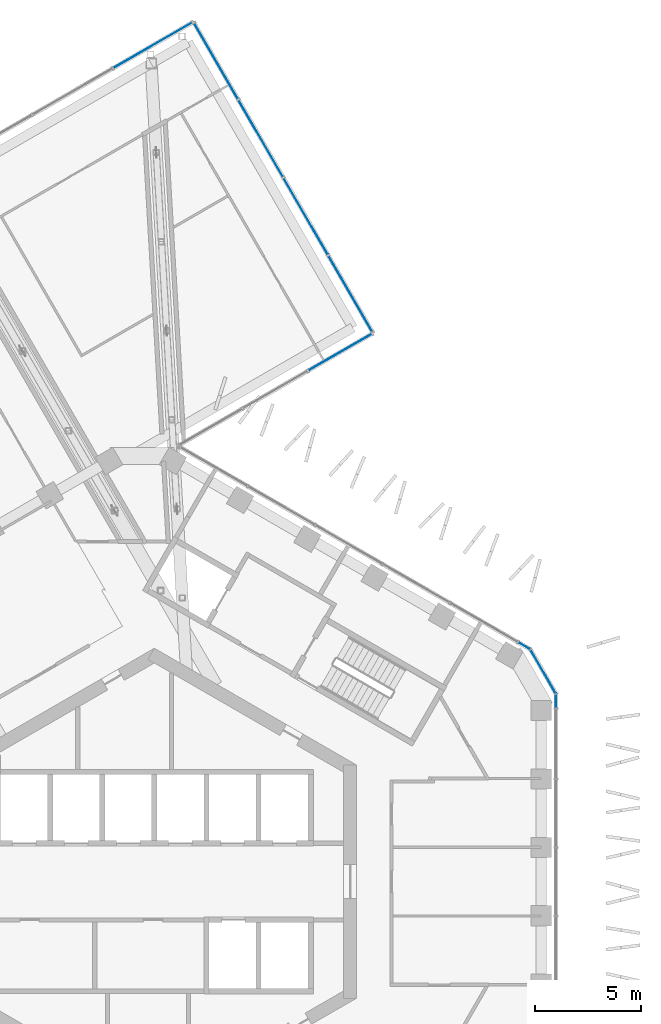
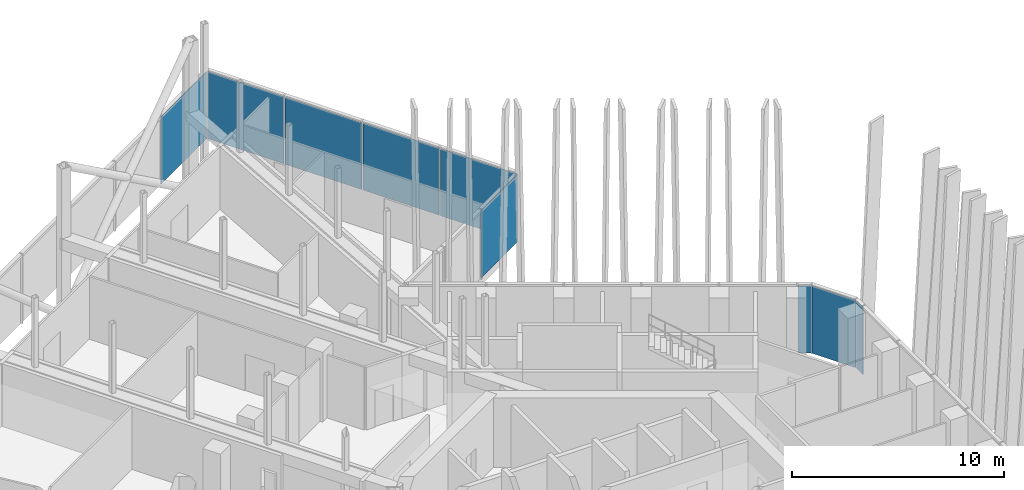
# One storey, part 17 of 29: 9 plates, 4 elements without a shape of their own.
"""IFC4 building model written with IfcOpenShell, lengths in metres."""

import ifcopenshell
import ifcopenshell.guid

model = None  # the IFC model being written
_history = None  # IfcOwnerHistory: only IFC2X3 demands one
_inside = {}  # id of a spatial element -> (the spatial element, [elements in it])
_under = {}  # id of a project, library or spatial element -> (it, [spatial elements below it])
_declared = {}  # id of a project -> (the project, [libraries it declares])
_typed = {}  # id of a type object -> (the type object, [elements of that type])
_made_of = {}  # id of a material, layer set ... -> (it, [elements and type objects made of it])


def new_model(schema):
    """Start an empty IFC model of exactly this schema.

    Asked for "IFC4X3", IfcOpenShell would pick the latest addendum, in which some entities
    have other attributes; the version numbers below select the first issue.
    IFC2X3 requires an IfcOwnerHistory on every rooted entity: one is made here for all.
    """
    global model, _history
    if schema == "IFC4X3":
        model = ifcopenshell.file(schema_version=(4, 3, 0, 0))
    else:
        model = ifcopenshell.file(schema=schema)
    _inside.clear()
    _under.clear()
    _declared.clear()
    _typed.clear()
    _made_of.clear()
    _history = None
    if model.schema == "IFC2X3":
        org = make("IfcOrganization", Name="unknown")
        user = make(
            "IfcPersonAndOrganization",
            ThePerson=make("IfcPerson", FamilyName="unknown"),
            TheOrganization=org,
        )
        app = make(
            "IfcApplication",
            ApplicationDeveloper=org,
            Version="unknown",
            ApplicationFullName="unknown",
            ApplicationIdentifier="unknown",
        )
        _history = make(
            "IfcOwnerHistory",
            OwningUser=user,
            OwningApplication=app,
            ChangeAction="ADDED",
            CreationDate=0,
        )
    return model


def make(cls, **values):
    """One entity of the class cls with the attributes given. An attribute that is None is left unset."""
    return model.create_entity(
        cls, **{name: value for name, value in values.items() if value is not None}
    )


def rooted(cls, **values):
    """An entity with a GlobalId (a new one), such as an element, a storey or a relation."""
    return make(cls, GlobalId=ifcopenshell.guid.new(), OwnerHistory=_history, **values)


def si_unit(unit_type, name, prefix=None):
    """IfcSIUnit, for example si_unit("LENGTHUNIT", "METRE", prefix="MILLI")."""
    return make("IfcSIUnit", UnitType=unit_type, Prefix=prefix, Name=name)


def assignment(units):
    """IfcUnitAssignment: the units of a project."""
    return None if units is None else make("IfcUnitAssignment", Units=units)


def point(xyz):
    """IfcCartesianPoint."""
    return None if xyz is None else make("IfcCartesianPoint", Coordinates=xyz)


def direction(xyz):
    """IfcDirection."""
    return None if xyz is None else make("IfcDirection", DirectionRatios=xyz)


def frame(location, z_axis=None, x_axis=None):
    """IfcAxis2Placement3D, a coordinate frame: its origin and axes. An axis left out is left unset."""
    return make(
        "IfcAxis2Placement3D",
        Location=point(location),
        Axis=direction(z_axis),
        RefDirection=direction(x_axis),
    )


def frame_2d(location, x_axis=None):
    """IfcAxis2Placement2D, a coordinate frame in the plane: its origin and x axis."""
    return make(
        "IfcAxis2Placement2D", Location=point(location), RefDirection=direction(x_axis)
    )


def origin():
    """The frame at (0, 0, 0) with its axes left unset."""
    return frame((0.0, 0.0, 0.0))


def origin_2d():
    """The frame at (0, 0) in the plane with its x axis left unset."""
    return frame_2d((0.0, 0.0))


def place(relative_to, where):
    """IfcLocalPlacement: puts the frame where relative to a parent placement (None: the world)."""
    return make(
        "IfcLocalPlacement", PlacementRelTo=relative_to, RelativePlacement=where
    )


def context(
    kind, dimensions, precision=None, world=None, true_north=None, identifier=None
):
    """IfcGeometricRepresentationContext, for example the 3D "Model" context."""
    return make(
        "IfcGeometricRepresentationContext",
        ContextIdentifier=identifier,
        ContextType=kind,
        CoordinateSpaceDimension=dimensions,
        Precision=precision,
        WorldCoordinateSystem=world,
        TrueNorth=true_north,
    )


def subcontext(parent, identifier, kind, view, scale=None):
    """IfcGeometricRepresentationSubContext, for example "Body" below "Model"."""
    return make(
        "IfcGeometricRepresentationSubContext",
        ContextIdentifier=identifier,
        ContextType=kind,
        ParentContext=parent,
        TargetScale=scale,
        TargetView=view,
    )


def project(units=None, contexts=None):
    """IfcProject with its units and contexts."""
    return rooted(
        "IfcProject",
        Name="project",
        RepresentationContexts=contexts,
        UnitsInContext=assignment(units),
    )


def spatial(cls, under=None, at=None, **own):
    """A site, building, storey or space (cls), placed at a placement, below another one or the project."""
    s = rooted(cls, ObjectPlacement=at, **own)
    if under is not None:
        _under.setdefault(under.id(), (under, []))[1].append(s)
    return s


def profile(cls, at=None, kind="AREA", **sizes):
    """A parametric profile (cls). Its sizes go by their IFC names, for example OverallWidth=200.0."""
    return make(cls, ProfileType=kind, Position=at, **sizes)


def rectangle(**sizes):
    """IfcRectangleProfileDef."""
    return profile("IfcRectangleProfileDef", **sizes)


def extrude(swept, where, along, depth):
    """IfcExtrudedAreaSolid: the profile swept, set in the frame where, extruded along a direction by depth."""
    return make(
        "IfcExtrudedAreaSolid",
        SweptArea=swept,
        Position=where,
        ExtrudedDirection=direction(along),
        Depth=depth,
    )


def shape(context_of_items, identifier, shape_type, items):
    """IfcShapeRepresentation: the items that make up one representation, for example the "Body"."""
    return make(
        "IfcShapeRepresentation",
        ContextOfItems=context_of_items,
        RepresentationIdentifier=identifier,
        RepresentationType=shape_type,
        Items=items,
    )


def material(Name=None, Category=None):
    """IfcMaterial."""
    return make("IfcMaterial", Name=Name, Category=Category)


def layer(
    of_material, thickness, ventilated=None, Name=None, Category=None, Priority=None
):
    """IfcMaterialLayer: one layer of a wall or slab, of a material (None: an air gap)."""
    return make(
        "IfcMaterialLayer",
        Material=of_material,
        LayerThickness=thickness,
        IsVentilated=ventilated,
        Name=Name,
        Category=Category,
        Priority=Priority,
    )


def layer_set(layers, Name=None):
    """IfcMaterialLayerSet."""
    return make("IfcMaterialLayerSet", MaterialLayers=layers, LayerSetName=Name)


def made_of(thing, what):
    """Note that an element or type object is made of a material, layer set ...; save() writes the relation."""
    if what is not None:
        _made_of.setdefault(what.id(), (what, []))[1].append(thing)
    return thing


def type_object(cls, material=None, **own):
    """A type object (cls), such as IfcWallType, which elements share."""
    return made_of(rooted(cls, **own), material)


def element(
    cls,
    number,
    at=None,
    inside=None,
    cuts=None,
    type_object=None,
    material=None,
    context=None,
    identifier="Body",
    shape_type=None,
    held_by="IfcProductDefinitionShape",
    body=None,
    shapes=None,
    **own,
):
    """One element of the class cls, such as IfcWall. Its Tag is "e" and its number.

    at: its placement. inside: the storey or other place that contains it. cuts: it is an
    opening in that element (IfcRelVoidsElement). A single representation is given by context,
    identifier, shape_type and body (its items); several are given by shapes. held_by: the class
    of the entity that holds the representations. save() writes the other relations.
    """
    e = rooted(cls, Tag="e%d" % number, ObjectPlacement=at, **own)
    if body is not None:
        shapes = [shape(context, identifier, shape_type, body)]
    if shapes is not None:
        e.Representation = make(held_by, Representations=shapes)
    if inside is not None:
        _inside.setdefault(inside.id(), (inside, []))[1].append(e)
    if cuts is not None:
        rooted(
            "IfcRelVoidsElement", RelatingBuildingElement=cuts, RelatedOpeningElement=e
        )
    if type_object is not None:
        _typed.setdefault(type_object.id(), (type_object, []))[1].append(e)
    return made_of(e, material)


def aggregate(whole, parts):
    """IfcRelAggregates: a whole, such as a stair, and the parts it consists of."""
    return rooted("IfcRelAggregates", RelatingObject=whole, RelatedObjects=parts)


def save(model, path):
    """Write the relations noted so far, then the file.

    IfcRelAggregates (storeys below a building ...), IfcRelContainedInSpatialStructure (elements
    in a storey), IfcRelDefinesByType, IfcRelAssociatesMaterial and IfcRelDeclares: one each for
    every whole, place, type object, material and project.
    """
    for whole, parts in _under.values():
        aggregate(whole, parts)
    for where, things in _inside.values():
        rooted(
            "IfcRelContainedInSpatialStructure",
            RelatedElements=things,
            RelatingStructure=where,
        )
    for kind, things in _typed.values():
        rooted("IfcRelDefinesByType", RelatedObjects=things, RelatingType=kind)
    for what, things in _made_of.values():
        rooted("IfcRelAssociatesMaterial", RelatedObjects=things, RelatingMaterial=what)
    for by, libraries in _declared.values():
        rooted("IfcRelDeclares", RelatingContext=by, RelatedDefinitions=libraries)
    model.write(path)


model = new_model("IFC4")

# Units and contexts
model_context = context("Model", 3, precision=1e-05, world=origin(), true_north=direction((0.0, 1.0)))
body_context = subcontext(model_context, "Body", "Model", "MODEL_VIEW")
ifc_project = project(units=[si_unit("LENGTHUNIT", "METRE"), si_unit("AREAUNIT", "SQUARE_METRE"), si_unit("VOLUMEUNIT", "CUBIC_METRE"), si_unit("PLANEANGLEUNIT", "RADIAN"), si_unit("MASSUNIT", "GRAM", prefix="KILO")], contexts=[model_context])

# Site, building, storey
site_placement = place(None, origin())
site = spatial("IfcSite", under=ifc_project, at=site_placement, CompositionType="ELEMENT")
building_placement = place(site_placement, origin())
building = spatial("IfcBuilding", under=site, at=building_placement, Name="Ayvan Gate Tower", CompositionType="ELEMENT")
storey_placement = place(building_placement, frame((0.0, 0.0, 186.699951171875)))
storey = spatial("IfcBuildingStorey", under=building, at=storey_placement, Name="L50", CompositionType="ELEMENT", Elevation=186.699951171875)

# Curtain wall, plate
ifc_material_1 = material(Name="Bronze anodised aluminium", Category="aluminium")
ifc_layer_1 = layer(ifc_material_1, 0.199951171875)
ifc_layer_set_1 = layer_set([ifc_layer_1], Name="Bronze anodised aluminium")
curtain_wall_type_1 = type_object("IfcCurtainWallType", Name="Stick curtain wall CW-4", PredefinedType="NOTDEFINED", material=ifc_layer_set_1)
curtain_wall_1_placement = place(storey_placement, origin())
curtain_wall_1 = element("IfcCurtainWall", 1, at=curtain_wall_1_placement, inside=storey, type_object=curtain_wall_type_1, Name="Stick curtain wall CW-4 L50", PredefinedType="NOTDEFINED")
ifc_material_2 = material(Name="Clear low-iron laminated glass", Category="glass")
ifc_layer_2 = layer(ifc_material_2, 0.028076171875)
ifc_layer_set_2 = layer_set([ifc_layer_2], Name="Clear low-iron laminated glass")
plate_type_1 = type_object("IfcPlateType", Name="Stick curtain wall CW-4 glass panel", PredefinedType="CURTAIN_PANEL", material=ifc_layer_set_2)
plate_1_placement = place(storey_placement, frame((8.751953125, 24.898193359375, 0.0), z_axis=(0.0, 0.0, 1.0), x_axis=(0.866025403784, 0.5, 0.0)))
plate_1 = element("IfcPlate", 2, at=plate_1_placement, type_object=plate_type_1, Name="CW-4 glass panel 3", PredefinedType="CURTAIN_PANEL", context=body_context, shape_type="SweptSolid", body=[
    extrude(rectangle(XDim=3.463134765625, YDim=0.028076171875, at=origin_2d()), origin(), (0.0, 0.0, 1.0), 3.860107421875),
])
aggregate(curtain_wall_1, [plate_1])

# Curtain wall, plates
curtain_wall_2_placement = place(storey_placement, origin())
curtain_wall_2 = element("IfcCurtainWall", 3, at=curtain_wall_2_placement, inside=storey, type_object=curtain_wall_type_1, Name="Stick curtain wall CW-4 L50", PredefinedType="NOTDEFINED")
plate_2_placement = place(storey_placement, frame((9.229736328125, 27.613525390625, 0.0), z_axis=(0.0, 0.0, 1.0), x_axis=(-0.5, 0.866025403784, 0.0)))
plate_2 = element("IfcPlate", 4, at=plate_2_placement, type_object=plate_type_1, Name="CW-4 glass panel 1", PredefinedType="CURTAIN_PANEL", context=body_context, shape_type="SweptSolid", body=[
    extrude(rectangle(XDim=4.14501953125, YDim=0.028076171875, at=origin_2d()), origin(), (0.0, 0.0, 1.0), 3.860107421875),
])
plate_3_placement = place(storey_placement, frame((5.0048828125, 34.931396484375, 0.0), z_axis=(0.0, 0.0, 1.0), x_axis=(-0.5, 0.866025403784, 0.0)))
plate_3 = element("IfcPlate", 5, at=plate_3_placement, type_object=plate_type_1, Name="CW-4 glass panel 3", PredefinedType="CURTAIN_PANEL", context=body_context, shape_type="SweptSolid", body=[
    extrude(rectangle(XDim=4.14501953125, YDim=0.028076171875, at=origin_2d()), origin(), (0.0, 0.0, 1.0), 3.860107421875),
])
ifc_material_3 = material(Name="Pale anodised aluminium composite panel", Category="aluminium")
ifc_layer_3 = layer(ifc_material_3, 0.028076171875)
ifc_layer_set_3 = layer_set([ifc_layer_3], Name="Pale anodised aluminium composite panel")
plate_type_2 = type_object("IfcPlateType", Name="Stick curtain wall CW-4 solid panel", PredefinedType="CURTAIN_PANEL", material=ifc_layer_set_3)
plate_4_placement = place(storey_placement, frame((7.117431640625, 31.2724609375, 0.0), z_axis=(0.0, 0.0, 1.0), x_axis=(-0.5, 0.866025403784, 0.0)))
plate_4 = element("IfcPlate", 6, at=plate_4_placement, type_object=plate_type_2, Name="CW-4 solid panel 2", PredefinedType="CURTAIN_PANEL", context=body_context, shape_type="SweptSolid", body=[
    extrude(rectangle(XDim=4.14501953125, YDim=0.028076171875, at=origin_2d()), origin(), (0.0, 0.0, 1.0), 3.860107421875),
])
plate_5_placement = place(storey_placement, frame((2.892333984375, 38.59033203125, 0.0), z_axis=(0.0, 0.0, 1.0), x_axis=(-0.5, 0.866025403784, 0.0)))
plate_5 = element("IfcPlate", 7, at=plate_5_placement, type_object=plate_type_2, Name="CW-4 solid panel 4", PredefinedType="CURTAIN_PANEL", context=body_context, shape_type="SweptSolid", body=[
    extrude(rectangle(XDim=4.14501953125, YDim=0.028076171875, at=origin_2d()), origin(), (0.0, 0.0, 1.0), 3.860107421875),
])
aggregate(curtain_wall_2, [plate_2, plate_4, plate_3, plate_5])

# Curtain wall, plate
curtain_wall_3_placement = place(storey_placement, origin())
curtain_wall_3 = element("IfcCurtainWall", 8, at=curtain_wall_3_placement, inside=storey, type_object=curtain_wall_type_1, Name="Stick curtain wall CW-4 L50", PredefinedType="NOTDEFINED")
plate_6_placement = place(storey_placement, frame((-0.0595703125, 39.325439453125, 0.0), z_axis=(0.0, 0.0, 1.0), x_axis=(-0.866025403784, -0.5, 0.0)))
plate_6 = element("IfcPlate", 9, at=plate_6_placement, type_object=plate_type_2, Name="CW-4 solid panel 1", PredefinedType="CURTAIN_PANEL", context=body_context, shape_type="SweptSolid", body=[
    extrude(rectangle(XDim=4.2978515625, YDim=0.028076171875, at=origin_2d()), origin(), (0.0, 0.0, 1.0), 3.860107421875),
])
aggregate(curtain_wall_3, [plate_6])

# Curtain wall, plates
ifc_layer_4 = layer(ifc_material_1, 0.199951171875)
ifc_layer_set_4 = layer_set([ifc_layer_4], Name="Bronze anodised aluminium")
curtain_wall_type_2 = type_object("IfcCurtainWallType", Name="Stick curtain wall CW-6", PredefinedType="NOTDEFINED", material=ifc_layer_set_4)
curtain_wall_4_placement = place(storey_placement, origin())
curtain_wall_4 = element("IfcCurtainWall", 10, at=curtain_wall_4_placement, inside=storey, type_object=curtain_wall_type_2, Name="Stick curtain wall CW-6 L50", PredefinedType="NOTDEFINED")
ifc_layer_5 = layer(ifc_material_2, 0.028076171875)
ifc_layer_set_5 = layer_set([ifc_layer_5], Name="Clear low-iron laminated glass")
plate_type_3 = type_object("IfcPlateType", Name="Stick curtain wall CW-6 glass panel", PredefinedType="CURTAIN_PANEL", material=ifc_layer_set_5)
plate_7_placement = place(storey_placement, frame((18.886474609375, 8.4873046875, 0.0), z_axis=(0.0, 0.0, 1.0), x_axis=(0.0, 1.0, 0.0)))
plate_7 = element("IfcPlate", 11, at=plate_7_placement, type_object=plate_type_3, Name="CW-6 glass panel 1", PredefinedType="CURTAIN_PANEL", context=body_context, shape_type="SweptSolid", body=[
    extrude(rectangle(XDim=0.625, YDim=0.028076171875, at=origin_2d()), origin(), (0.0, 0.0, 1.0), 3.8798828125),
])
plate_8_placement = place(storey_placement, frame((18.282958984375, 9.870361328125, 0.0), z_axis=(0.0, 0.0, 1.0), x_axis=(-0.5, 0.866025403784, 0.0)))
plate_8 = element("IfcPlate", 12, at=plate_8_placement, type_object=plate_type_3, Name="CW-6 glass panel 2", PredefinedType="CURTAIN_PANEL", context=body_context, shape_type="SweptSolid", body=[
    extrude(rectangle(XDim=2.364501953125, YDim=0.028076171875, at=origin_2d()), origin(), (0.0, 0.0, 1.0), 3.8798828125),
])
plate_9_placement = place(storey_placement, frame((17.386962890625, 11.084716796875, 0.0), z_axis=(0.0, 0.0, 1.0), x_axis=(-0.866025403784, 0.5, 0.0)))
plate_9 = element("IfcPlate", 13, at=plate_9_placement, type_object=plate_type_3, Name="CW-6 glass panel 3", PredefinedType="CURTAIN_PANEL", context=body_context, shape_type="SweptSolid", body=[
    extrude(rectangle(XDim=0.625, YDim=0.028076171875, at=origin_2d()), origin(), (0.0, 0.0, 1.0), 3.8798828125),
])
aggregate(curtain_wall_4, [plate_7, plate_8, plate_9])

save(model, "model.ifc")
